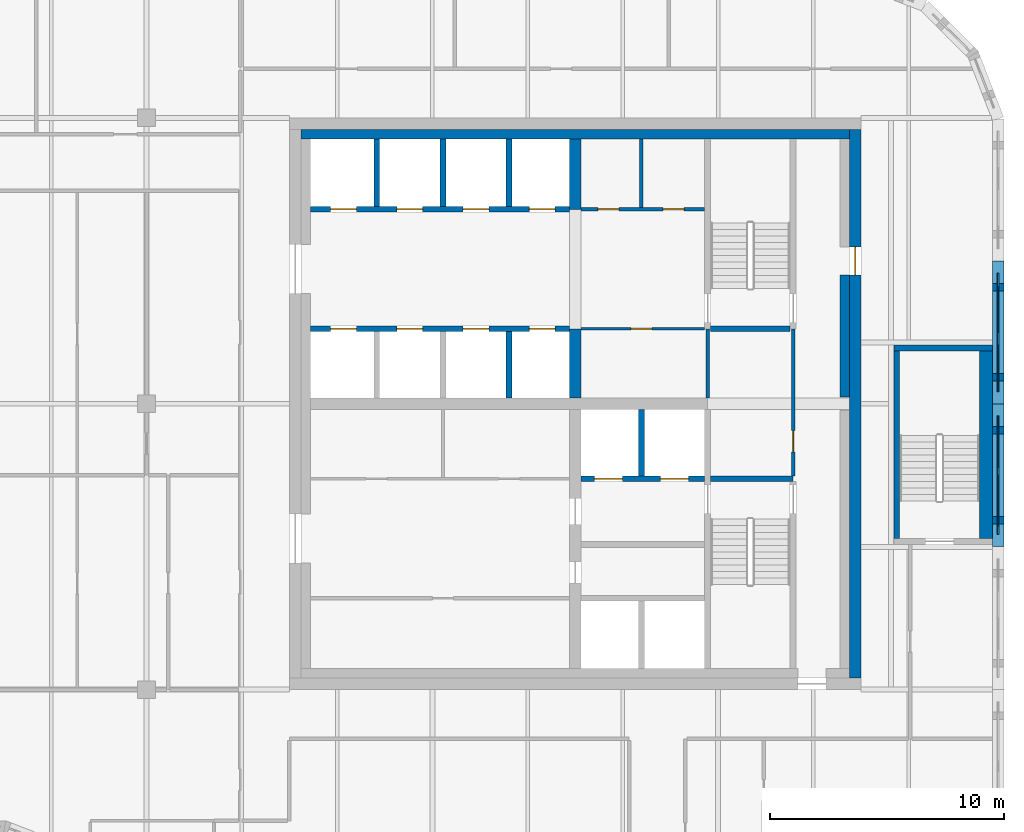
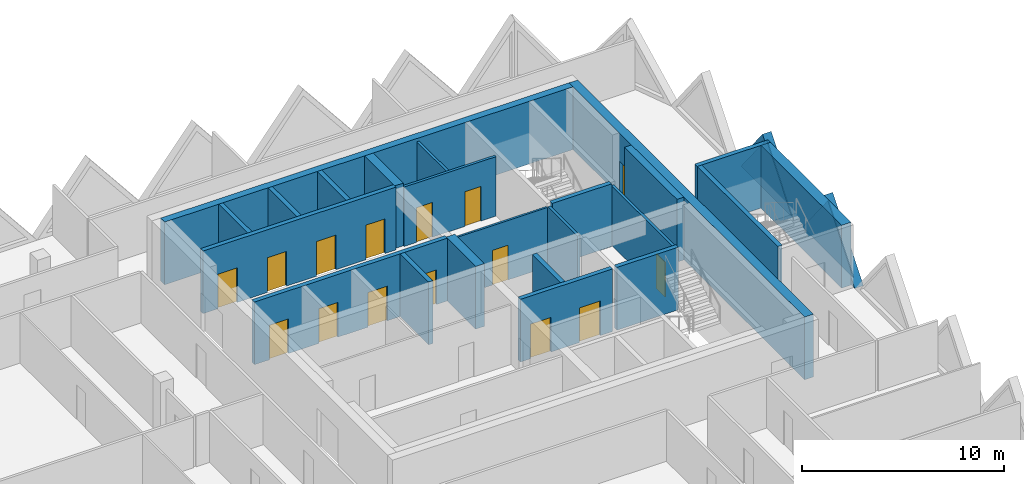
# One storey, part 8 of 11: 25 walls, 15 doors, 2 plates, 17 openings.
"""IFC4 building model written with IfcOpenShell, lengths in metres."""

from ifc_helpers import new_model, si_unit, direction, frame, frame_2d, origin, place, context, subcontext, project, spatial, polyline, rectangle, outline, extrude, faceted_brep, source, transform, mapped, material, layer, layer_set, type_object, element, fill, save


model = new_model("IFC4")

# Units and contexts
model_context = context("Model", 3, precision=1e-05, world=origin(), true_north=direction((0.0, 1.0)))
body_context = subcontext(model_context, "Body", "Model", "MODEL_VIEW")
ifc_project = project(units=[si_unit("LENGTHUNIT", "METRE"), si_unit("AREAUNIT", "SQUARE_METRE"), si_unit("VOLUMEUNIT", "CUBIC_METRE"), si_unit("PLANEANGLEUNIT", "RADIAN"), si_unit("MASSUNIT", "GRAM", prefix="KILO")], contexts=[model_context])

# Site, building, storey
site_placement = place(None, origin())
site = spatial("IfcSite", under=ifc_project, at=site_placement, CompositionType="ELEMENT")
building_placement = place(site_placement, origin())
building = spatial("IfcBuilding", under=site, at=building_placement, Name="Tessera Gate Towers", CompositionType="ELEMENT")
storey_placement = place(building_placement, frame((0.0, 0.0, 197.89990234375)))
storey = spatial("IfcBuildingStorey", under=building, at=storey_placement, Name="L49", CompositionType="ELEMENT", Elevation=197.89990234375)

# Wall, openings, doors
ifc_material_1 = material(Name="Concrete C40/50", Category="concrete")
ifc_layer_1 = layer(ifc_material_1, 0.25)
ifc_layer_set_1 = layer_set([ifc_layer_1], Name="CORE ENCLOSURE WALL 250")
wall_type_1 = type_object("IfcWallType", Name="CORE ENCLOSURE WALL 250", PredefinedType="SOLIDWALL", material=ifc_layer_set_1)
wall_1_placement = place(storey_placement, frame((31.39990234375, 39.800048828125, 0.0), z_axis=(0.0, 0.0, 1.0), x_axis=(1.0, 0.0, 0.0)))
wall_1 = element("IfcWall", 1, at=wall_1_placement, inside=storey, type_object=wall_type_1, Name="L49 shaft and stair enclosure wall", PredefinedType="SOLIDWALL", context=body_context, shape_type="SweptSolid", body=[
    extrude(rectangle(XDim=11.050048828125, YDim=0.25, at=frame_2d((5.52490234375, 0.0))), origin(), (0.0, 0.0, 1.0), 3.800048828125),
])
shared_shape_1 = source(origin(), body_context, "Body", "SweptSolid", [
    extrude(rectangle(XDim=1.10009765625, YDim=2.10009765625, at=frame_2d((0.550048828125, 1.050048828125))), frame((0.0, 0.135009765625, 0.0), z_axis=(0.0, -1.0, 0.0), x_axis=(1.0, 0.0, 0.0)), (0.0, 0.0, 1.0), 0.27001953125),
])
opening_1_placement = place(wall_1_placement, frame((0.862548828125, 0.0, 0.0)))
opening_1 = element("IfcOpeningElement", 2, at=opening_1_placement, cuts=wall_1, Name="Opening LD-HR1", PredefinedType="OPENING", context=body_context, shape_type="MappedRepresentation", body=[
    mapped(shared_shape_1, transform((0.0, 0.0, 0.0), scale=1.0)),
])
opening_2_placement = place(wall_1_placement, frame((3.6875, 0.0, 0.0)))
opening_2 = element("IfcOpeningElement", 3, at=opening_2_placement, cuts=wall_1, Name="Opening LD-HR2", PredefinedType="OPENING", context=body_context, shape_type="MappedRepresentation", body=[
    mapped(shared_shape_1, transform((0.0, 0.0, 0.0), scale=1.0)),
])
opening_3_placement = place(wall_1_placement, frame((6.512451171875, 0.0, 0.0)))
opening_3 = element("IfcOpeningElement", 4, at=opening_3_placement, cuts=wall_1, Name="Opening LD-HR3", PredefinedType="OPENING", context=body_context, shape_type="MappedRepresentation", body=[
    mapped(shared_shape_1, transform((0.0, 0.0, 0.0), scale=1.0)),
])
opening_4_placement = place(wall_1_placement, frame((9.33740234375, 0.0, 0.0)))
opening_4 = element("IfcOpeningElement", 5, at=opening_4_placement, cuts=wall_1, Name="Opening LD-HR4", PredefinedType="OPENING", context=body_context, shape_type="MappedRepresentation", body=[
    mapped(shared_shape_1, transform((0.0, 0.0, 0.0), scale=1.0)),
])
ifc_material_2 = material(Name="Stainless steel", Category="steel")
door_type_1 = type_object("IfcDoorType", Name="CORE DOOR LD 1100x2100", OperationType="DOUBLE_DOOR_SLIDING", PredefinedType="DOOR", material=ifc_material_2)
shared_shape_2 = source(origin(), body_context, "Body", "SweptSolid", [
    extrude(rectangle(XDim=1.10009765625, YDim=2.10009765625, at=frame_2d((0.550048828125, 1.050048828125))), frame((0.0, 0.02490234375, 0.0), z_axis=(0.0, -1.0, 0.0), x_axis=(1.0, 0.0, 0.0)), (0.0, 0.0, 1.0), 0.050048828125),
])
door_1_placement = place(opening_1_placement, origin())
door_1 = element("IfcDoor", 6, at=door_1_placement, inside=storey, type_object=door_type_1, Name="Landing door HR1 L49", OperationType="DOUBLE_DOOR_SLIDING", OverallHeight=2.10009765625, OverallWidth=1.10009765625, PredefinedType="DOOR", context=body_context, shape_type="MappedRepresentation", body=[
    mapped(shared_shape_2, transform((0.0, 0.0, 0.0), scale=1.0)),
])
fill(opening_1, door_1)
door_2_placement = place(opening_2_placement, origin())
door_2 = element("IfcDoor", 7, at=door_2_placement, inside=storey, type_object=door_type_1, Name="Landing door HR2 L49", OperationType="DOUBLE_DOOR_SLIDING", OverallHeight=2.10009765625, OverallWidth=1.10009765625, PredefinedType="DOOR", context=body_context, shape_type="MappedRepresentation", body=[
    mapped(shared_shape_2, transform((0.0, 0.0, 0.0), scale=1.0)),
])
fill(opening_2, door_2)
door_3_placement = place(opening_3_placement, origin())
door_3 = element("IfcDoor", 8, at=door_3_placement, inside=storey, type_object=door_type_1, Name="Landing door HR3 L49", OperationType="DOUBLE_DOOR_SLIDING", OverallHeight=2.10009765625, OverallWidth=1.10009765625, PredefinedType="DOOR", context=body_context, shape_type="MappedRepresentation", body=[
    mapped(shared_shape_2, transform((0.0, 0.0, 0.0), scale=1.0)),
])
fill(opening_3, door_3)
door_4_placement = place(opening_4_placement, origin())
door_4 = element("IfcDoor", 9, at=door_4_placement, inside=storey, type_object=door_type_1, Name="Landing door HR4 L49", OperationType="DOUBLE_DOOR_SLIDING", OverallHeight=2.10009765625, OverallWidth=1.10009765625, PredefinedType="DOOR", context=body_context, shape_type="MappedRepresentation", body=[
    mapped(shared_shape_2, transform((0.0, 0.0, 0.0), scale=1.0)),
])
fill(opening_4, door_4)

wall_2_placement = place(storey_placement, frame((42.449951171875, 44.89990234375, 0.0), z_axis=(0.0, 0.0, 1.0), x_axis=(-1.0, 0.0, 0.0)))
wall_2 = element("IfcWall", 10, at=wall_2_placement, inside=storey, type_object=wall_type_1, Name="L49 shaft and stair enclosure wall", PredefinedType="SOLIDWALL", context=body_context, shape_type="SweptSolid", body=[
    extrude(rectangle(XDim=11.050048828125, YDim=0.25, at=frame_2d((5.52490234375, 0.0))), origin(), (0.0, 0.0, 1.0), 3.800048828125),
])
opening_5_placement = place(wall_2_placement, frame((9.08740234375, 0.0, 0.0)))
opening_5 = element("IfcOpeningElement", 11, at=opening_5_placement, cuts=wall_2, Name="Opening LD-HR5", PredefinedType="OPENING", context=body_context, shape_type="MappedRepresentation", body=[
    mapped(shared_shape_1, transform((0.0, 0.0, 0.0), scale=1.0)),
])
opening_6_placement = place(wall_2_placement, frame((6.262451171875, 0.0, 0.0)))
opening_6 = element("IfcOpeningElement", 12, at=opening_6_placement, cuts=wall_2, Name="Opening LD-HR6", PredefinedType="OPENING", context=body_context, shape_type="MappedRepresentation", body=[
    mapped(shared_shape_1, transform((0.0, 0.0, 0.0), scale=1.0)),
])
opening_7_placement = place(wall_2_placement, frame((3.4375, 0.0, 0.0)))
opening_7 = element("IfcOpeningElement", 13, at=opening_7_placement, cuts=wall_2, Name="Opening LD-HR7", PredefinedType="OPENING", context=body_context, shape_type="MappedRepresentation", body=[
    mapped(shared_shape_1, transform((0.0, 0.0, 0.0), scale=1.0)),
])
opening_8_placement = place(wall_2_placement, frame((0.612548828125, 0.0, 0.0)))
opening_8 = element("IfcOpeningElement", 14, at=opening_8_placement, cuts=wall_2, Name="Opening LD-HR8", PredefinedType="OPENING", context=body_context, shape_type="MappedRepresentation", body=[
    mapped(shared_shape_1, transform((0.0, 0.0, 0.0), scale=1.0)),
])
door_5_placement = place(opening_5_placement, origin())
door_5 = element("IfcDoor", 15, at=door_5_placement, inside=storey, type_object=door_type_1, Name="Landing door HR5 L49", OperationType="DOUBLE_DOOR_SLIDING", OverallHeight=2.10009765625, OverallWidth=1.10009765625, PredefinedType="DOOR", context=body_context, shape_type="MappedRepresentation", body=[
    mapped(shared_shape_2, transform((0.0, 0.0, 0.0), scale=1.0)),
])
fill(opening_5, door_5)
door_6_placement = place(opening_6_placement, origin())
door_6 = element("IfcDoor", 16, at=door_6_placement, inside=storey, type_object=door_type_1, Name="Landing door HR6 L49", OperationType="DOUBLE_DOOR_SLIDING", OverallHeight=2.10009765625, OverallWidth=1.10009765625, PredefinedType="DOOR", context=body_context, shape_type="MappedRepresentation", body=[
    mapped(shared_shape_2, transform((0.0, 0.0, 0.0), scale=1.0)),
])
fill(opening_6, door_6)
door_7_placement = place(opening_7_placement, origin())
door_7 = element("IfcDoor", 17, at=door_7_placement, inside=storey, type_object=door_type_1, Name="Landing door HR7 L49", OperationType="DOUBLE_DOOR_SLIDING", OverallHeight=2.10009765625, OverallWidth=1.10009765625, PredefinedType="DOOR", context=body_context, shape_type="MappedRepresentation", body=[
    mapped(shared_shape_2, transform((0.0, 0.0, 0.0), scale=1.0)),
])
fill(opening_7, door_7)
door_8_placement = place(opening_8_placement, origin())
door_8 = element("IfcDoor", 18, at=door_8_placement, inside=storey, type_object=door_type_1, Name="Landing door HR8 L49", OperationType="DOUBLE_DOOR_SLIDING", OverallHeight=2.10009765625, OverallWidth=1.10009765625, PredefinedType="DOOR", context=body_context, shape_type="MappedRepresentation", body=[
    mapped(shared_shape_2, transform((0.0, 0.0, 0.0), scale=1.0)),
])
fill(opening_8, door_8)

wall_3_placement = place(storey_placement, frame((48.22509765625, 33.39990234375, 0.0), z_axis=(0.0, 0.0, 1.0), x_axis=(-1.0, 0.0, 0.0)))
wall_3 = element("IfcWall", 19, at=wall_3_placement, inside=storey, type_object=wall_type_1, Name="L49 shaft and stair enclosure wall", PredefinedType="SOLIDWALL", context=body_context, shape_type="SweptSolid", body=[
    extrude(rectangle(XDim=5.275146484375, YDim=0.25, at=frame_2d((2.6376953125, 0.0))), origin(), (0.0, 0.0, 1.0), 3.800048828125),
])
shared_shape_3 = source(origin(), body_context, "Body", "SweptSolid", [
    extrude(rectangle(XDim=1.199951171875, YDim=2.10009765625, at=frame_2d((0.60009765625, 1.050048828125))), frame((0.0, 0.135009765625, 0.0), z_axis=(0.0, -1.0, 0.0), x_axis=(1.0, 0.0, 0.0)), (0.0, 0.0, 1.0), 0.27001953125),
])
opening_9_placement = place(wall_3_placement, frame((3.512451171875, 0.0, 0.0)))
opening_9 = element("IfcOpeningElement", 20, at=opening_9_placement, cuts=wall_3, Name="Opening LD-FF1", PredefinedType="OPENING", context=body_context, shape_type="MappedRepresentation", body=[
    mapped(shared_shape_3, transform((0.0, 0.0, 0.0), scale=1.0)),
])
opening_10_placement = place(wall_3_placement, frame((0.6875, 0.0, 0.0)))
opening_10 = element("IfcOpeningElement", 21, at=opening_10_placement, cuts=wall_3, Name="Opening LD-FF2", PredefinedType="OPENING", context=body_context, shape_type="MappedRepresentation", body=[
    mapped(shared_shape_3, transform((0.0, 0.0, 0.0), scale=1.0)),
])
ifc_material_3 = material(Name="Stainless steel", Category="steel")
door_type_2 = type_object("IfcDoorType", Name="CORE DOOR LD1200 1200x2100", OperationType="DOUBLE_DOOR_SLIDING", PredefinedType="DOOR", material=ifc_material_3)
shared_shape_4 = source(origin(), body_context, "Body", "SweptSolid", [
    extrude(rectangle(XDim=1.199951171875, YDim=2.10009765625, at=frame_2d((0.60009765625, 1.050048828125))), frame((0.0, 0.02490234375, 0.0), z_axis=(0.0, -1.0, 0.0), x_axis=(1.0, 0.0, 0.0)), (0.0, 0.0, 1.0), 0.050048828125),
])
door_9_placement = place(opening_9_placement, origin())
door_9 = element("IfcDoor", 22, at=door_9_placement, inside=storey, type_object=door_type_2, Name="Landing door FF1 L49", OperationType="DOUBLE_DOOR_SLIDING", OverallHeight=2.10009765625, OverallWidth=1.199951171875, PredefinedType="DOOR", context=body_context, shape_type="MappedRepresentation", body=[
    mapped(shared_shape_4, transform((0.0, 0.0, 0.0), scale=1.0)),
])
fill(opening_9, door_9)
door_10_placement = place(opening_10_placement, origin())
door_10 = element("IfcDoor", 23, at=door_10_placement, inside=storey, type_object=door_type_2, Name="Landing door FF2 L49", OperationType="DOUBLE_DOOR_SLIDING", OverallHeight=2.10009765625, OverallWidth=1.199951171875, PredefinedType="DOOR", context=body_context, shape_type="MappedRepresentation", body=[
    mapped(shared_shape_4, transform((0.0, 0.0, 0.0), scale=1.0)),
])
fill(opening_10, door_10)

# Walls
wall_4_placement = place(storey_placement, frame((48.47509765625, 33.39990234375, 0.0), z_axis=(0.0, 0.0, 1.0), x_axis=(1.0, 0.0, 0.0)))
element("IfcWall", 24, at=wall_4_placement, inside=storey, type_object=wall_type_1, Name="L49 shaft and stair enclosure wall", PredefinedType="SOLIDWALL", context=body_context, shape_type="SweptSolid", body=[
    extrude(rectangle(XDim=3.52490234375, YDim=0.25, at=frame_2d((1.762451171875, 0.0))), origin(), (0.0, 0.0, 1.0), 3.800048828125),
])
wall_5_placement = place(storey_placement, frame((48.47509765625, 39.800048828125, 0.0), z_axis=(0.0, 0.0, 1.0), x_axis=(1.0, 0.0, 0.0)))
element("IfcWall", 25, at=wall_5_placement, inside=storey, type_object=wall_type_1, Name="L49 shaft and stair enclosure wall", PredefinedType="SOLIDWALL", context=body_context, shape_type="SweptSolid", body=[
    extrude(rectangle(XDim=3.39990234375, YDim=0.25, at=frame_2d((1.699951171875, 0.0))), origin(), (0.0, 0.0, 1.0), 3.800048828125),
])
wall_6_placement = place(storey_placement, frame((39.875, 36.85009765625, 0.0), z_axis=(0.0, 0.0, 1.0), x_axis=(0.0, 1.0, 0.0)))
element("IfcWall", 26, at=wall_6_placement, inside=storey, type_object=wall_type_1, Name="L49 shaft and stair enclosure wall", PredefinedType="SOLIDWALL", context=body_context, shape_type="SweptSolid", body=[
    extrude(rectangle(XDim=2.824951171875, YDim=0.25, at=frame_2d((1.41259765625, 0.0))), origin(), (0.0, 0.0, 1.0), 3.800048828125),
])
wall_7_placement = place(storey_placement, frame((45.52490234375, 33.52490234375, 0.0), z_axis=(0.0, 0.0, 1.0), x_axis=(0.0, 1.0, 0.0)))
element("IfcWall", 27, at=wall_7_placement, inside=storey, type_object=wall_type_1, Name="L49 shaft and stair enclosure wall", PredefinedType="SOLIDWALL", context=body_context, shape_type="SweptSolid", body=[
    extrude(rectangle(XDim=2.8251953125, YDim=0.25, at=frame_2d((1.41259765625, 0.0))), origin(), (0.0, 0.0, 1.0), 3.800048828125),
])
for number, where, z_axis, x_axis, name in (
    (28, (34.22509765625, 45.02490234375, 0.0), (0.0, 0.0, 1.0), (0.0, 1.0, 0.0), "L49 shaft and stair enclosure wall"),
    (29, (37.050048828125, 45.02490234375, 0.0), (0.0, 0.0, 1.0), (0.0, 1.0, 0.0), "L49 shaft and stair enclosure wall"),
    (30, (39.875, 45.02490234375, 0.0), (0.0, 0.0, 1.0), (0.0, 1.0, 0.0), "L49 shaft and stair enclosure wall"),
):
    element("IfcWall", number, at=place(storey_placement, frame(where, z_axis=z_axis, x_axis=x_axis)), inside=storey, type_object=wall_type_1, Name=name, PredefinedType="SOLIDWALL", context=body_context, shape_type="SweptSolid", body=[
        extrude(rectangle(XDim=2.875, YDim=0.25, at=frame_2d((1.4375, 0.0))), origin(), (0.0, 0.0, 1.0), 3.800048828125),
    ])
wall_8_placement = place(storey_placement, frame((56.425048828125, 30.85009765625, 0.0), z_axis=(0.0, 0.0, 1.0), x_axis=(0.0, 1.0, 0.0)))
element("IfcWall", 31, at=wall_8_placement, inside=storey, type_object=wall_type_1, Name="L49 ST5 enclosure wall", PredefinedType="SOLIDWALL", context=body_context, shape_type="SweptSolid", body=[
    extrude(rectangle(XDim=8.0, YDim=0.25, at=frame_2d((4.0, 0.0))), origin(), (0.0, 0.0, 1.0), 3.800048828125),
])
wall_9_placement = place(storey_placement, frame((56.300048828125, 38.97509765625, 0.0), z_axis=(0.0, 0.0, 1.0), x_axis=(1.0, 0.0, 0.0)))
element("IfcWall", 32, at=wall_9_placement, inside=storey, type_object=wall_type_1, Name="L49 ST5 enclosure wall", PredefinedType="SOLIDWALL", context=body_context, shape_type="SweptSolid", body=[
    extrude(rectangle(XDim=4.199951171875, YDim=0.25, at=frame_2d((2.10009765625, 0.0))), origin(), (0.0, 0.0, 1.0), 3.800048828125),
])
ifc_material_4 = material(Name="Concrete C40/50", Category="concrete")
ifc_layer_2 = layer(ifc_material_4, 0.550048828125)
ifc_layer_set_2 = layer_set([ifc_layer_2], Name="CORE ENCLOSURE WALL 550")
wall_type_2 = type_object("IfcWallType", Name="CORE ENCLOSURE WALL 550", PredefinedType="SOLIDWALL", material=ifc_layer_set_2)
wall_10_placement = place(storey_placement, frame((60.22509765625, 38.85009765625, 0.0), z_axis=(0.0, 0.0, 1.0), x_axis=(0.0, -1.0, 0.0)))
element("IfcWall", 33, at=wall_10_placement, inside=storey, type_object=wall_type_2, Name="L49 ST5 enclosure wall", PredefinedType="SOLIDWALL", context=body_context, shape_type="SweptSolid", body=[
    extrude(rectangle(XDim=8.0, YDim=0.550048828125, at=frame_2d((4.0, 0.0))), origin(), (0.0, 0.0, 1.0), 3.800048828125),
])

# Wall, opening, door
ifc_material_5 = material(Name="Gypsum board on steel studs", Category="steel")
ifc_layer_3 = layer(ifc_material_5, 0.1201171875)
ifc_layer_set_3 = layer_set([ifc_layer_3], Name="CORE PARTITION 120")
wall_type_3 = type_object("IfcWallType", Name="CORE PARTITION 120", PredefinedType="PARTITIONING", material=ifc_layer_set_3)
wall_11_placement = place(storey_placement, frame((48.22509765625, 39.800048828125, 0.0), z_axis=(0.0, 0.0, 1.0), x_axis=(-1.0, 0.0, 0.0)))
wall_11 = element("IfcWall", 34, at=wall_11_placement, inside=storey, type_object=wall_type_3, Name="L49 core partition", PredefinedType="PARTITIONING", context=body_context, shape_type="SweptSolid", body=[
    extrude(rectangle(XDim=5.275146484375, YDim=0.1201171875, at=frame_2d((2.6376953125, 0.0))), origin(), (0.0, 0.0, 1.0), 3.60009765625),
])
shared_shape_5 = source(origin(), body_context, "Body", "SweptSolid", [
    extrude(rectangle(XDim=0.89990234375, YDim=2.10009765625, at=frame_2d((0.449951171875, 1.050048828125))), frame((0.0, 0.070068359375, 0.0), z_axis=(0.0, -1.0, 0.0), x_axis=(1.0, 0.0, 0.0)), (0.0, 0.0, 1.0), 0.14013671875),
])
opening_11_placement = place(wall_11_placement, frame((2.25, 0.0, 0.0)))
opening_11 = element("IfcOpeningElement", 35, at=opening_11_placement, cuts=wall_11, Name="Opening RD-T1-31-11", PredefinedType="OPENING", context=body_context, shape_type="MappedRepresentation", body=[
    mapped(shared_shape_5, transform((0.0, 0.0, 0.0), scale=1.0)),
])
ifc_material_6 = material(Name="Hollow steel fire door", Category="steel")
door_type_3 = type_object("IfcDoorType", Name="CORE DOOR RD 900x2100", OperationType="NOTDEFINED", PredefinedType="DOOR", material=ifc_material_6)
shared_shape_6 = source(origin(), body_context, "Body", "SweptSolid", [
    extrude(rectangle(XDim=0.89990234375, YDim=2.10009765625, at=frame_2d((0.449951171875, 1.050048828125))), frame((0.0, 0.02490234375, 0.0), z_axis=(0.0, -1.0, 0.0), x_axis=(1.0, 0.0, 0.0)), (0.0, 0.0, 1.0), 0.050048828125),
])
door_11_placement = place(opening_11_placement, origin())
door_11 = element("IfcDoor", 36, at=door_11_placement, inside=storey, type_object=door_type_3, Name="Core room door", OperationType="SINGLE_SWING_RIGHT", OverallHeight=2.10009765625, OverallWidth=0.89990234375, PredefinedType="DOOR", context=body_context, shape_type="MappedRepresentation", body=[
    mapped(shared_shape_6, transform((0.0, 0.0, 0.0), scale=1.0)),
])
fill(opening_11, door_11)

ifc_material_7 = material(Name="Concrete C50/60", Category="concrete")
ifc_layer_4 = layer(ifc_material_7, 0.5)
ifc_layer_set_4 = layer_set([ifc_layer_4], Name="CORE SHEAR WALL 500 C50/60")
wall_type_4 = type_object("IfcWallType", Name="CORE SHEAR WALL 500 C50/60", PredefinedType="SHEAR", material=ifc_layer_set_4)
wall_12_placement = place(storey_placement, frame((54.64990234375, 48.300048828125, 0.0), z_axis=(0.0, 0.0, 1.0), x_axis=(0.0, -1.0, 0.0)))
wall_12 = element("IfcWall", 37, at=wall_12_placement, inside=storey, type_object=wall_type_4, Name="Core wall E L49", PredefinedType="SHEAR", context=body_context, shape_type="SweptSolid", body=[
    extrude(rectangle(XDim=23.400146484375, YDim=0.5, at=frame_2d((11.7001953125, 0.0))), origin(), (0.0, 0.0, 1.0), 3.800048828125),
])
shared_shape_7 = source(origin(), body_context, "Body", "SweptSolid", [
    extrude(rectangle(XDim=1.199951171875, YDim=2.10009765625, at=frame_2d((0.60009765625, 1.050048828125))), frame((0.0, 0.260009765625, 0.0), z_axis=(0.0, -1.0, 0.0), x_axis=(1.0, 0.0, 0.0)), (0.0, 0.0, 1.0), 0.52001953125),
])
opening_12_placement = place(wall_12_placement, frame((5.0, 0.0, 0.0)))
opening_12 = element("IfcOpeningElement", 38, at=opening_12_placement, cuts=wall_12, Name="Opening ED-T1-31-04", PredefinedType="OPENING", context=body_context, shape_type="MappedRepresentation", body=[
    mapped(shared_shape_7, transform((0.0, 0.0, 0.0), scale=1.0)),
])
ifc_material_8 = material(Name="Hollow steel fire door", Category="steel")
door_type_4 = type_object("IfcDoorType", Name="CORE DOOR ED 1200x2100", OperationType="NOTDEFINED", PredefinedType="DOOR", material=ifc_material_8)
door_12_placement = place(opening_12_placement, origin())
door_12 = element("IfcDoor", 39, at=door_12_placement, inside=storey, type_object=door_type_4, Name="Core exit door", OperationType="SINGLE_SWING_LEFT", OverallHeight=2.10009765625, OverallWidth=1.199951171875, PredefinedType="DOOR", context=body_context, shape_type="MappedRepresentation", body=[
    mapped(shared_shape_4, transform((0.0, 0.0, 0.0), scale=1.0)),
])
fill(opening_12, door_12)

# Walls
ifc_material_9 = material(Name="Concrete C50/60", Category="concrete")
ifc_layer_5 = layer(ifc_material_9, 0.5)
ifc_layer_set_5 = layer_set([ifc_layer_5], Name="CORE SPINE WALL 500 C50/60")
wall_type_5 = type_object("IfcWallType", Name="CORE SPINE WALL 500 C50/60", PredefinedType="SHEAR", material=ifc_layer_set_5)
wall_13_placement = place(storey_placement, frame((42.699951171875, 36.85009765625, 0.0), z_axis=(0.0, 0.0, 1.0), x_axis=(0.0, 1.0, 0.0)))
element("IfcWall", 40, at=wall_13_placement, inside=storey, type_object=wall_type_5, Name="Core wall spine L49", PredefinedType="SHEAR", context=body_context, shape_type="SweptSolid", body=[
    extrude(rectangle(XDim=2.949951171875, YDim=0.5, at=frame_2d((1.47509765625, 0.0))), origin(), (0.0, 0.0, 1.0), 3.800048828125),
])
wall_14_placement = place(storey_placement, frame((42.699951171875, 44.89990234375, 0.0), z_axis=(0.0, 0.0, 1.0), x_axis=(0.0, 1.0, 0.0)))
element("IfcWall", 41, at=wall_14_placement, inside=storey, type_object=wall_type_5, Name="Core wall spine L49", PredefinedType="SHEAR", context=body_context, shape_type="SweptSolid", body=[
    extrude(rectangle(XDim=3.0, YDim=0.5, at=frame_2d((1.5, 0.0))), origin(), (0.0, 0.0, 1.0), 3.800048828125),
])
ifc_material_10 = material(Name="Concrete C50/60", Category="concrete")
ifc_layer_6 = layer(ifc_material_10, 0.39990234375)
ifc_layer_set_6 = layer_set([ifc_layer_6], Name="CORE WALL THICKENING 400")
wall_type_6 = type_object("IfcWallType", Name="CORE WALL THICKENING 400", PredefinedType="SOLIDWALL", material=ifc_layer_set_6)
wall_15_placement = place(storey_placement, frame((31.0, 48.10009765625, 0.0), z_axis=(0.0, 0.0, 1.0), x_axis=(1.0, 0.0, 0.0)))
element("IfcWall", 42, at=wall_15_placement, inside=storey, type_object=wall_type_6, Name="Core wall thickening N L49", PredefinedType="SOLIDWALL", context=body_context, shape_type="SweptSolid", body=[
    extrude(rectangle(XDim=23.39990234375, YDim=0.39990234375, at=frame_2d((11.699951171875, 0.0))), origin(), (0.0, 0.0, 1.0), 3.800048828125),
])
wall_16_placement = place(storey_placement, frame((54.199951171875, 36.8798828125, 0.0), z_axis=(0.0, 0.0, 1.0), x_axis=(0.0, 1.0, 0.0)))
element("IfcWall", 43, at=wall_16_placement, inside=storey, type_object=wall_type_6, Name="Core wall thickening E L49", PredefinedType="SOLIDWALL", context=body_context, shape_type="SweptSolid", body=[
    extrude(rectangle(XDim=5.22021484375, YDim=0.39990234375, at=frame_2d((2.610107421875, 0.0))), origin(), (0.0, 0.0, 1.0), 3.800048828125),
])

# Wall, opening, door
ifc_material_11 = material(Name="Gypsum board on steel studs", Category="steel")
ifc_layer_7 = layer(ifc_material_11, 0.14990234375)
ifc_layer_set_7 = layer_set([ifc_layer_7], Name="SERVICE ROOM WALL 150")
wall_type_7 = type_object("IfcWallType", Name="SERVICE ROOM WALL 150", PredefinedType="PARTITIONING", material=ifc_layer_set_7)
wall_17_placement = place(storey_placement, frame((52.0, 33.52490234375, 0.0), z_axis=(0.0, 0.0, 1.0), x_axis=(0.0, 1.0, 0.0)))
wall_17 = element("IfcWall", 44, at=wall_17_placement, inside=storey, type_object=wall_type_7, Name="L49 service room wall", PredefinedType="PARTITIONING", context=body_context, shape_type="SweptSolid", body=[
    extrude(rectangle(XDim=6.275146484375, YDim=0.14990234375, at=frame_2d((3.1376953125, 0.0))), origin(), (0.0, 0.0, 1.0), 3.60009765625),
])
shared_shape_8 = source(origin(), body_context, "Body", "SweptSolid", [
    extrude(rectangle(XDim=0.89990234375, YDim=2.10009765625, at=frame_2d((0.449951171875, 1.050048828125))), frame((0.0, 0.0849609375, 0.0), z_axis=(0.0, -1.0, 0.0), x_axis=(1.0, 0.0, 0.0)), (0.0, 0.0, 1.0), 0.169921875),
])
opening_13_placement = place(wall_17_placement, frame((1.02490234375, 0.0, 0.0)))
opening_13 = element("IfcOpeningElement", 45, at=opening_13_placement, cuts=wall_17, Name="Opening RD-T1-31-10", PredefinedType="OPENING", context=body_context, shape_type="MappedRepresentation", body=[
    mapped(shared_shape_8, transform((0.0, 0.0, 0.0), scale=1.0)),
])
door_13_placement = place(opening_13_placement, origin())
door_13 = element("IfcDoor", 46, at=door_13_placement, inside=storey, type_object=door_type_3, Name="Core room door", OperationType="SINGLE_SWING_LEFT", OverallHeight=2.10009765625, OverallWidth=0.89990234375, PredefinedType="DOOR", context=body_context, shape_type="MappedRepresentation", body=[
    mapped(shared_shape_6, transform((0.0, 0.0, 0.0), scale=1.0)),
])
fill(opening_13, door_13)

# Wall, openings, doors
wall_18_placement = place(storey_placement, frame((42.949951171875, 44.89990234375, 0.0), z_axis=(0.0, 0.0, 1.0), x_axis=(1.0, 0.0, 0.0)))
wall_18 = element("IfcWall", 47, at=wall_18_placement, inside=storey, type_object=wall_type_7, Name="L49 service room wall", PredefinedType="PARTITIONING", context=body_context, shape_type="SweptSolid", body=[
    extrude(rectangle(XDim=5.275146484375, YDim=0.14990234375, at=frame_2d((2.6376953125, 0.0))), origin(), (0.0, 0.0, 1.0), 3.60009765625),
])
opening_14_placement = place(wall_18_placement, frame((0.71240234375, 0.0, 0.0)))
opening_14 = element("IfcOpeningElement", 48, at=opening_14_placement, cuts=wall_18, Name="Opening RD-T1-31-12", PredefinedType="OPENING", context=body_context, shape_type="MappedRepresentation", body=[
    mapped(shared_shape_8, transform((0.0, 0.0, 0.0), scale=1.0)),
])
opening_15_placement = place(wall_18_placement, frame((3.5, 0.0, 0.0)))
opening_15 = element("IfcOpeningElement", 49, at=opening_15_placement, cuts=wall_18, Name="Opening RD-T1-31-13", PredefinedType="OPENING", context=body_context, shape_type="MappedRepresentation", body=[
    mapped(shared_shape_8, transform((0.0, 0.0, 0.0), scale=1.0)),
])
door_14_placement = place(opening_14_placement, origin())
door_14 = element("IfcDoor", 50, at=door_14_placement, inside=storey, type_object=door_type_3, Name="Core room door", OperationType="SINGLE_SWING_LEFT", OverallHeight=2.10009765625, OverallWidth=0.89990234375, PredefinedType="DOOR", context=body_context, shape_type="MappedRepresentation", body=[
    mapped(shared_shape_6, transform((0.0, 0.0, 0.0), scale=1.0)),
])
fill(opening_14, door_14)
door_15_placement = place(opening_15_placement, origin())
door_15 = element("IfcDoor", 51, at=door_15_placement, inside=storey, type_object=door_type_3, Name="Core room door", OperationType="SINGLE_SWING_RIGHT", OverallHeight=2.10009765625, OverallWidth=0.89990234375, PredefinedType="DOOR", context=body_context, shape_type="MappedRepresentation", body=[
    mapped(shared_shape_6, transform((0.0, 0.0, 0.0), scale=1.0)),
])
fill(opening_15, door_15)

# Walls
wall_19_placement = place(storey_placement, frame((48.35009765625, 36.85009765625, 0.0), z_axis=(0.0, 0.0, 1.0), x_axis=(0.0, 1.0, 0.0)))
element("IfcWall", 52, at=wall_19_placement, inside=storey, type_object=wall_type_7, Name="L49 service room wall", PredefinedType="PARTITIONING", context=body_context, shape_type="SweptSolid", body=[
    extrude(rectangle(XDim=2.949951171875, YDim=0.14990234375, at=frame_2d((1.47509765625, 0.0))), origin(), (0.0, 0.0, 1.0), 3.60009765625),
])
wall_20_placement = place(storey_placement, frame((45.52490234375, 44.97509765625, 0.0), z_axis=(0.0, 0.0, 1.0), x_axis=(0.0, 1.0, 0.0)))
element("IfcWall", 53, at=wall_20_placement, inside=storey, type_object=wall_type_7, Name="L49 service room wall", PredefinedType="PARTITIONING", context=body_context, shape_type="SweptSolid", body=[
    extrude(rectangle(XDim=2.9248046875, YDim=0.14990234375, at=frame_2d((1.46240234375, 0.0))), origin(), (0.0, 0.0, 1.0), 3.60009765625),
])

# Wall, opening, plate
ifc_material_12 = material(Name="Precast concrete C60/75 white", Category="concrete")
ifc_layer_8 = layer(ifc_material_12, 0.5)
ifc_layer_set_8 = layer_set([ifc_layer_8], Name="TS2 half tessera")
wall_type_8 = type_object("IfcWallType", Name="TS2 half tessera", PredefinedType="SOLIDWALL", material=ifc_layer_set_8)
shared_shape_9 = source(origin(), body_context, "Body", "Brep", [
    faceted_brep([(6.099853515625, -0.25, 0.000244140625), (3.050048828125, -0.25, 3.800048828125), (0.0, -0.25, 0.0), (6.099853515625, -0.25, 0.0), (0.0, 0.25, 0.0), (3.050048828125, 0.25, 3.800048828125), (6.099853515625, 0.25, 0.000244140625), (6.099853515625, 0.25, 0.0)], [[[0, 1, 2, 3]], [[4, 5, 6, 7]], [[6, 5, 1, 0]], [[5, 4, 2, 1]], [[4, 7, 3, 2]], [[3, 7, 6, 0]]]),
])
wall_21_placement = place(storey_placement, frame((60.75, 36.60009765625, 0.0), z_axis=(0.0, 0.0, 1.0), x_axis=(0.0, 1.0, 0.0)))
wall_21 = element("IfcWall", 54, at=wall_21_placement, inside=storey, type_object=wall_type_8, Name="Precast half tessera T1 TS2-0238", PredefinedType="SOLIDWALL", context=body_context, shape_type="MappedRepresentation", body=[
    mapped(shared_shape_9, transform((0.0, 0.0, 0.0), scale=1.0)),
])
shared_shape_10 = source(origin(), body_context, "Body", "SweptSolid", [
    extrude(outline(polyline([(5.578857421875, 0.25), (3.050048828125, 3.400634765625), (0.521240234375, 0.25), (5.578857421875, 0.25)])), frame((0.0, 0.260009765625, 0.0), z_axis=(0.0, -1.0, 0.0), x_axis=(1.0, 0.0, 0.0)), (0.0, 0.0, 1.0), 0.52001953125),
])
opening_16_placement = place(wall_21_placement, origin())
opening_16 = element("IfcOpeningElement", 55, at=opening_16_placement, cuts=wall_21, Name="Opening T1-PL1-0484", PredefinedType="OPENING", context=body_context, shape_type="MappedRepresentation", body=[
    mapped(shared_shape_10, transform((0.0, 0.0, 0.0), scale=1.0)),
])
ifc_material_13 = material(Name="Low-e laminated glass", Category="glass")
ifc_layer_9 = layer(ifc_material_13, 0.06005859375)
ifc_layer_set_9 = layer_set([ifc_layer_9], Name="PL1 triangular pane")
plate_type = type_object("IfcPlateType", Name="PL1 triangular pane", PredefinedType="SHEET", material=ifc_layer_set_9)
shared_shape_11 = source(origin(), body_context, "Body", "SweptSolid", [
    extrude(outline(polyline([(5.578857421875, 0.25), (3.050048828125, 3.400634765625), (0.521240234375, 0.25), (5.578857421875, 0.25)])), frame((0.0, 0.030029296875, 0.0), z_axis=(0.0, -1.0, 0.0), x_axis=(1.0, 0.0, 0.0)), (0.0, 0.0, 1.0), 0.06005859375),
])
plate_1_placement = place(opening_16_placement, origin())
plate_1 = element("IfcPlate", 56, at=plate_1_placement, inside=storey, type_object=plate_type, Name="Glass pane T1 PL1-0484", PredefinedType="SHEET", context=body_context, shape_type="MappedRepresentation", body=[
    mapped(shared_shape_11, transform((0.0, 0.0, 0.0), scale=1.0)),
])
fill(opening_16, plate_1)

shared_shape_12 = source(origin(), body_context, "Body", "SweptSolid", [
    extrude(outline(polyline([(6.10009765625, 0.0), (3.050048828125, 3.800048828125), (0.0, 0.0), (6.10009765625, 0.0)])), frame((0.0, 0.25, 0.0), z_axis=(0.0, -1.0, 0.0), x_axis=(1.0, 0.0, 0.0)), (0.0, 0.0, 1.0), 0.5),
])
wall_22_placement = place(storey_placement, frame((60.75, 30.5, 0.0), z_axis=(0.0, 0.0, 1.0), x_axis=(0.0, 1.0, 0.0)))
wall_22 = element("IfcWall", 57, at=wall_22_placement, inside=storey, type_object=wall_type_8, Name="Precast half tessera T1 TS2-0237", PredefinedType="SOLIDWALL", context=body_context, shape_type="MappedRepresentation", body=[
    mapped(shared_shape_12, transform((0.0, 0.0, 0.0), scale=1.0)),
])
opening_17_placement = place(wall_22_placement, origin())
opening_17 = element("IfcOpeningElement", 58, at=opening_17_placement, cuts=wall_22, Name="Opening T1-PL1-0483", PredefinedType="OPENING", context=body_context, shape_type="MappedRepresentation", body=[
    mapped(shared_shape_10, transform((0.0, 0.0, 0.0), scale=1.0)),
])
plate_2_placement = place(opening_17_placement, origin())
plate_2 = element("IfcPlate", 59, at=plate_2_placement, inside=storey, type_object=plate_type, Name="Glass pane T1 PL1-0483", PredefinedType="SHEET", context=body_context, shape_type="MappedRepresentation", body=[
    mapped(shared_shape_11, transform((0.0, 0.0, 0.0), scale=1.0)),
])
fill(opening_17, plate_2)

save(model, "model.ifc")
